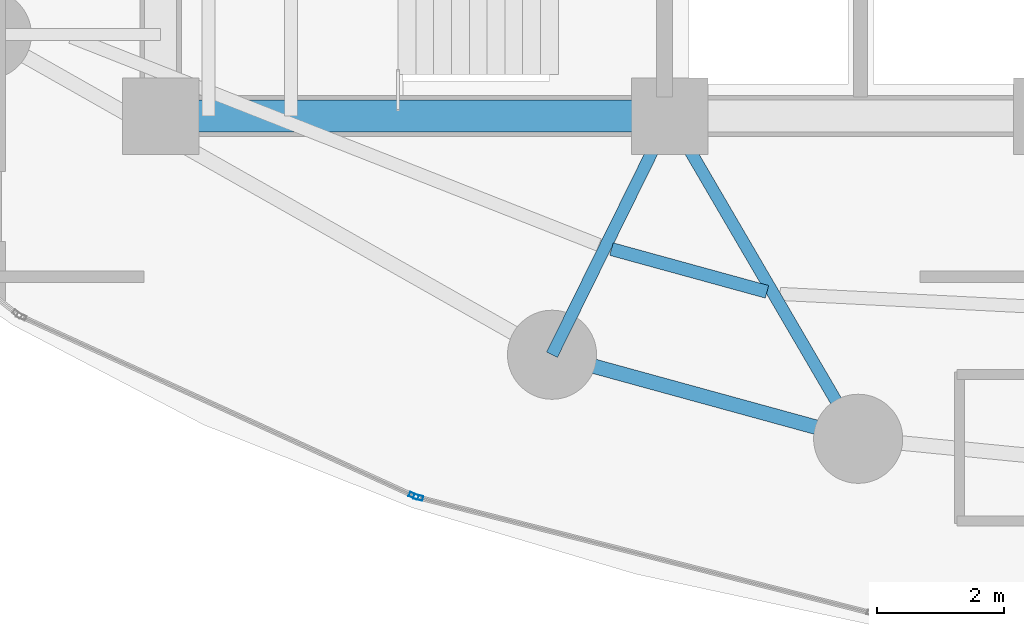
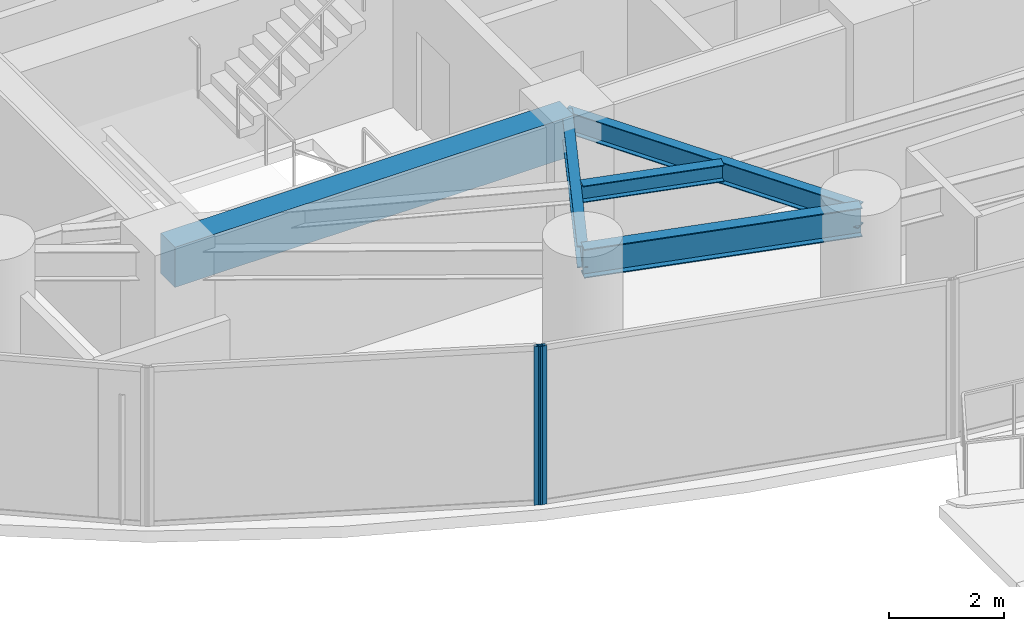
# One storey, part 5 of 32: 5 beams, 2 members, 2 elements without a shape of their own.
"""IFC4 building model written with IfcOpenShell, lengths in metres."""

from ifc_helpers import new_model, si_unit, direction, frame, origin, origin_2d, place, context, subcontext, project, spatial, rectangle, hollow_rectangle, i_section, extrude, material, layer, layer_set, material_profile, profile_set, type_object, element, aggregate, save


model = new_model("IFC4")

# Units and contexts
model_context = context("Model", 3, precision=1e-05, world=origin(), true_north=direction((0.0, 1.0)))
body_context = subcontext(model_context, "Body", "Model", "MODEL_VIEW")
ifc_project = project(units=[si_unit("LENGTHUNIT", "METRE"), si_unit("AREAUNIT", "SQUARE_METRE"), si_unit("VOLUMEUNIT", "CUBIC_METRE"), si_unit("PLANEANGLEUNIT", "RADIAN"), si_unit("MASSUNIT", "GRAM", prefix="KILO")], contexts=[model_context])

# Site, building, storey
site_placement = place(None, origin())
site = spatial("IfcSite", under=ifc_project, at=site_placement, CompositionType="ELEMENT")
building_placement = place(site_placement, origin())
building = spatial("IfcBuilding", under=site, at=building_placement, Name="Kazevale Care Tower and Concert Hall", CompositionType="ELEMENT")
storey_placement = place(building_placement, frame((0.0, 0.0, 24.0)))
storey = spatial("IfcBuildingStorey", under=building, at=storey_placement, Name="L05", CompositionType="ELEMENT", Elevation=24.0)

# Curtain wall, member
ifc_material_1 = material(Name="Aluminium 6063-T6 and Low-E Glass", Category="aluminium")
ifc_layer = layer(ifc_material_1, 0.179931640625)
ifc_layer_set = layer_set([ifc_layer], Name="Aluminium 6063-T6 and Low-E Glass")
curtain_wall_type = type_object("IfcCurtainWallType", Name="Sheltered Concave Balcony Curtain Wall CW-5", PredefinedType="NOTDEFINED", material=ifc_layer_set)
curtain_wall_1_placement = place(storey_placement, origin())
curtain_wall_1 = element("IfcCurtainWall", 1, at=curtain_wall_1_placement, inside=storey, type_object=curtain_wall_type, Name="cw:L05:f08", PredefinedType="NOTDEFINED")
ifc_material_2 = material(Name="Aluminium 6063-T6", Category="aluminium")
ifc_material_profile_1 = material_profile(ifc_material_2, hollow_rectangle(XDim=0.074951171875, YDim=0.14990234375, WallThickness=0.00390625, at=origin_2d()), Name="ALU75x150x4")
ifc_profile_set_1 = profile_set([ifc_material_profile_1], Name="Aluminium 6063-T6")
member_type = type_object("IfcMemberType", Name="CW-5 Mullion ALU75x150x4", PredefinedType="MULLION", material=ifc_profile_set_1)
member_1_placement = place(storey_placement, frame((26.04833984375, 17.608642578125, 0.0), z_axis=(0.0, 0.0, 1.0), x_axis=(-0.247221864936, -0.968958899798, 0.0)))
member_1 = element("IfcMember", 2, at=member_1_placement, type_object=member_type, Name="CW-5 mullion 2", PredefinedType="MULLION", context=body_context, shape_type="SweptSolid", body=[
    extrude(hollow_rectangle(XDim=0.074951171875, YDim=0.14990234375, WallThickness=0.00390625, at=origin_2d()), origin(), (0.0, 0.0, 1.0), 3.360107421875),
])
aggregate(curtain_wall_1, [member_1])

curtain_wall_2_placement = place(storey_placement, origin())
curtain_wall_2 = element("IfcCurtainWall", 3, at=curtain_wall_2_placement, inside=storey, type_object=curtain_wall_type, Name="cw:L05:f09", PredefinedType="NOTDEFINED")
member_2_placement = place(storey_placement, frame((25.977783203125, 17.633544921875, 0.0), z_axis=(0.0, 0.0, 1.0), x_axis=(-0.415659767773, -0.909520179795, 0.0)))
member_2 = element("IfcMember", 4, at=member_2_placement, type_object=member_type, Name="CW-5 mullion 1", PredefinedType="MULLION", context=body_context, shape_type="SweptSolid", body=[
    extrude(hollow_rectangle(XDim=0.074951171875, YDim=0.14990234375, WallThickness=0.00390625, at=origin_2d()), origin(), (0.0, 0.0, 1.0), 3.360107421875),
])
aggregate(curtain_wall_2, [member_2])

# Beams
ifc_material_3 = material(Name="Concrete C60", Category="concrete")
ifc_material_profile_2 = material_profile(ifc_material_3, rectangle(XDim=0.5, YDim=0.85009765625, at=origin_2d()), Name="RC-B500x850")
ifc_profile_set_2 = profile_set([ifc_material_profile_2], Name="Concrete C60")
beam_type_1 = type_object("IfcBeamType", Name="Core Coupling Beam RC500x850", PredefinedType="LINTEL", material=ifc_profile_set_2)
beam_1_placement = place(storey_placement, frame((22.0, 23.60009765625, 2.93505859375), z_axis=(1.0, 0.0, 0.0), x_axis=(0.0, 1.0, 0.0)))
element("IfcBeam", 5, at=beam_1_placement, inside=storey, type_object=beam_type_1, Name="beam:L05:coretie:1", PredefinedType="LINTEL", context=body_context, shape_type="SweptSolid", body=[
    extrude(rectangle(XDim=0.5, YDim=0.85009765625, at=origin_2d()), origin(), (0.0, 0.0, 1.0), 8.0),
])
ifc_material_4 = material(Name="Steel ASTM A572 Gr 50", Category="steel")
ifc_material_profile_3 = material_profile(ifc_material_4, i_section(OverallWidth=0.19091796875, OverallDepth=0.4599609375, WebThickness=0.010009765625, FlangeThickness=0.01611328125, at=origin_2d()), Name="W460x82")
ifc_profile_set_3 = profile_set([ifc_material_profile_3], Name="Steel ASTM A572 Gr 50")
beam_type_2 = type_object("IfcBeamType", Name="Radial Floor Beam W460x82", PredefinedType="BEAM", material=ifc_profile_set_3)
beam_2_placement = place(storey_placement, frame((30.0, 23.60009765625, 3.1298828125), z_axis=(-0.442443019162, -0.896796618412, 0.0), x_axis=(0.896796618412, -0.442443019162, 0.0)))
element("IfcBeam", 6, at=beam_2_placement, inside=storey, type_object=beam_type_2, Name="beam:L05:rad:11", PredefinedType="BEAM", context=body_context, shape_type="SweptSolid", body=[
    extrude(i_section(OverallWidth=0.19091796875, OverallDepth=0.4599609375, WebThickness=0.010009765625, FlangeThickness=0.01611328125, at=origin_2d()), origin(), (0.0, 0.0, 1.0), 4.181640625),
])
beam_3_placement = place(storey_placement, frame((30.0, 23.60009765625, 3.1298828125), z_axis=(0.50417868077, -0.86359936189, 0.0), x_axis=(0.86359936189, 0.50417868077, 0.0)))
element("IfcBeam", 7, at=beam_3_placement, inside=storey, type_object=beam_type_2, Name="beam:L05:rad:12", PredefinedType="BEAM", context=body_context, shape_type="SweptSolid", body=[
    extrude(i_section(OverallWidth=0.19091796875, OverallDepth=0.4599609375, WebThickness=0.010009765625, FlangeThickness=0.01611328125, at=origin_2d()), origin(), (0.0, 0.0, 1.0), 5.870849609375),
])
ifc_material_profile_4 = material_profile(ifc_material_4, i_section(OverallWidth=0.22900390625, OverallDepth=0.612060546875, WebThickness=0.011962890625, FlangeThickness=0.01953125, at=origin_2d()), Name="W610x125")
ifc_profile_set_4 = profile_set([ifc_material_profile_4], Name="Steel ASTM A572 Gr 50")
beam_type_3 = type_object("IfcBeamType", Name="Ring Spandrel Beam W610x125", PredefinedType="SPANDREL", material=ifc_profile_set_4)
beam_4_placement = place(storey_placement, frame((28.14990234375, 19.85009765625, 3.053955078125), z_axis=(0.964343540473, -0.264653615031, 0.0), x_axis=(0.264653615031, 0.964343540473, 0.0)))
element("IfcBeam", 8, at=beam_4_placement, inside=storey, type_object=beam_type_3, Name="beam:L05:ring:11", PredefinedType="SPANDREL", context=body_context, shape_type="SweptSolid", body=[
    extrude(i_section(OverallWidth=0.22900390625, OverallDepth=0.612060546875, WebThickness=0.011962890625, FlangeThickness=0.01953125, at=origin_2d()), origin(), (0.0, 0.0, 1.0), 4.98779296875),
])
ifc_material_profile_5 = material_profile(ifc_material_4, i_section(OverallWidth=0.205078125, OverallDepth=0.35400390625, WebThickness=0.009521484375, FlangeThickness=0.016845703125, at=origin_2d()), Name="W360x79")
ifc_profile_set_5 = profile_set([ifc_material_profile_5], Name="Steel ASTM A572 Gr 50")
beam_type_4 = type_object("IfcBeamType", Name="Secondary Floor Joist W360x79", PredefinedType="JOIST", material=ifc_profile_set_5)
beam_5_placement = place(storey_placement, frame((29.083984375, 21.510009765625, 3.18310546875), z_axis=(0.964302027389, -0.264804833743, 0.0), x_axis=(0.264804833743, 0.964302027389, 0.0)))
element("IfcBeam", 9, at=beam_5_placement, inside=storey, type_object=beam_type_4, Name="beam:L05:joist:11", PredefinedType="JOIST", context=body_context, shape_type="SweptSolid", body=[
    extrude(i_section(OverallWidth=0.205078125, OverallDepth=0.35400390625, WebThickness=0.009521484375, FlangeThickness=0.016845703125, at=origin_2d()), origin(), (0.0, 0.0, 1.0), 2.533447265625),
])

save(model, "model.ifc")
